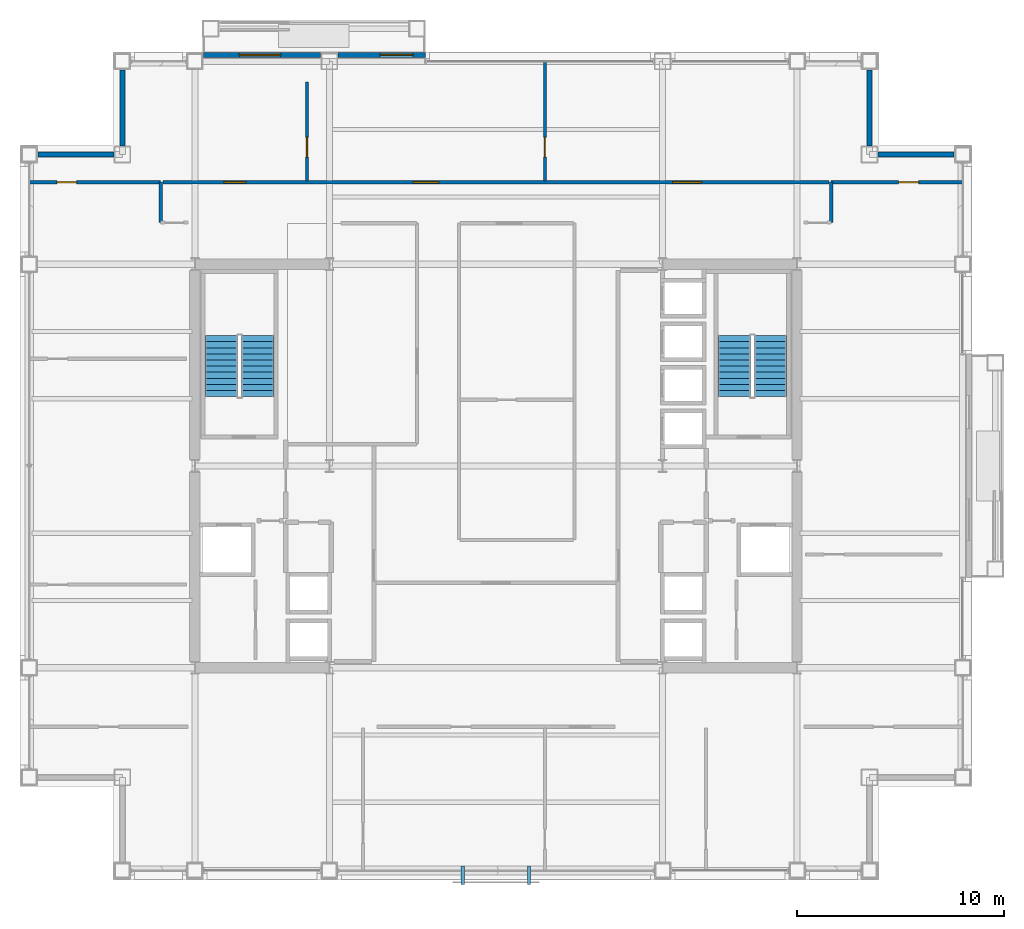
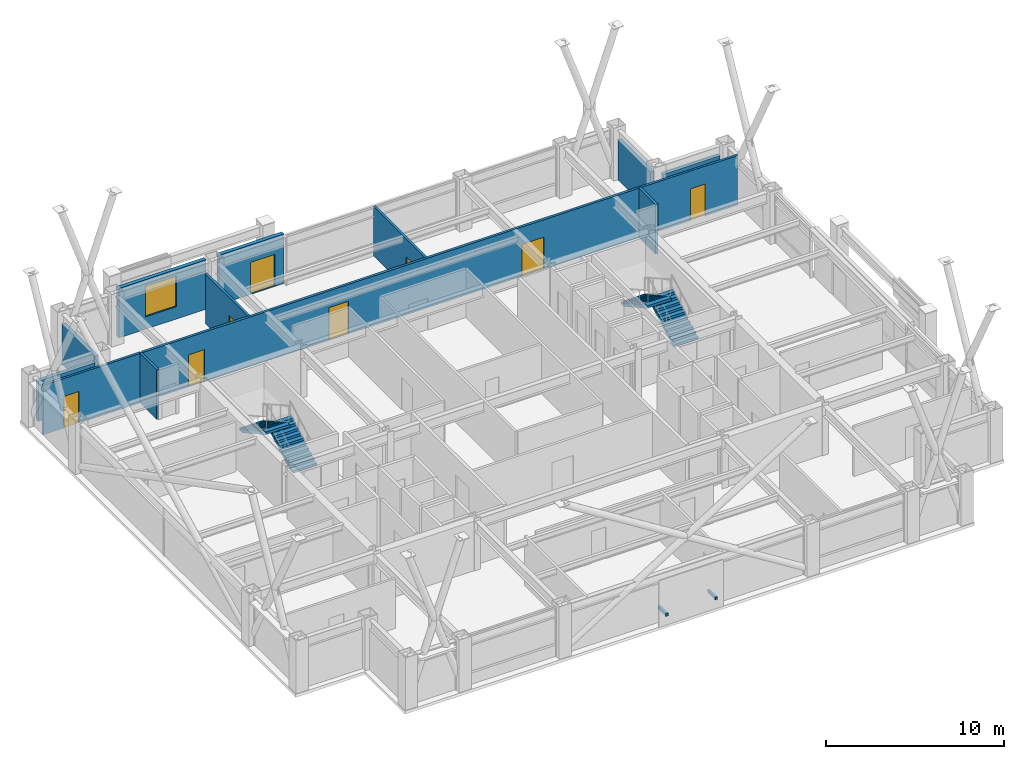
# One storey, part 30 of 33: 13 walls, 8 doors, 4 stair flights, 2 discrete accessories, 1 window, 9 openings, 2 elements without a shape of their own.
"""IFC4 building model written with IfcOpenShell, lengths in metres."""

import ifcopenshell
import ifcopenshell.guid

model = None  # the IFC model being written
_history = None  # IfcOwnerHistory: only IFC2X3 demands one
_inside = {}  # id of a spatial element -> (the spatial element, [elements in it])
_under = {}  # id of a project, library or spatial element -> (it, [spatial elements below it])
_declared = {}  # id of a project -> (the project, [libraries it declares])
_typed = {}  # id of a type object -> (the type object, [elements of that type])
_made_of = {}  # id of a material, layer set ... -> (it, [elements and type objects made of it])


def new_model(schema):
    """Start an empty IFC model of exactly this schema.

    Asked for "IFC4X3", IfcOpenShell would pick the latest addendum, in which some entities
    have other attributes; the version numbers below select the first issue.
    IFC2X3 requires an IfcOwnerHistory on every rooted entity: one is made here for all.
    """
    global model, _history
    if schema == "IFC4X3":
        model = ifcopenshell.file(schema_version=(4, 3, 0, 0))
    else:
        model = ifcopenshell.file(schema=schema)
    _inside.clear()
    _under.clear()
    _declared.clear()
    _typed.clear()
    _made_of.clear()
    _history = None
    if model.schema == "IFC2X3":
        org = make("IfcOrganization", Name="unknown")
        user = make(
            "IfcPersonAndOrganization",
            ThePerson=make("IfcPerson", FamilyName="unknown"),
            TheOrganization=org,
        )
        app = make(
            "IfcApplication",
            ApplicationDeveloper=org,
            Version="unknown",
            ApplicationFullName="unknown",
            ApplicationIdentifier="unknown",
        )
        _history = make(
            "IfcOwnerHistory",
            OwningUser=user,
            OwningApplication=app,
            ChangeAction="ADDED",
            CreationDate=0,
        )
    return model


def make(cls, **values):
    """One entity of the class cls with the attributes given. An attribute that is None is left unset."""
    return model.create_entity(
        cls, **{name: value for name, value in values.items() if value is not None}
    )


def rooted(cls, **values):
    """An entity with a GlobalId (a new one), such as an element, a storey or a relation."""
    return make(cls, GlobalId=ifcopenshell.guid.new(), OwnerHistory=_history, **values)


def si_unit(unit_type, name, prefix=None):
    """IfcSIUnit, for example si_unit("LENGTHUNIT", "METRE", prefix="MILLI")."""
    return make("IfcSIUnit", UnitType=unit_type, Prefix=prefix, Name=name)


def assignment(units):
    """IfcUnitAssignment: the units of a project."""
    return None if units is None else make("IfcUnitAssignment", Units=units)


def point(xyz):
    """IfcCartesianPoint."""
    return None if xyz is None else make("IfcCartesianPoint", Coordinates=xyz)


def direction(xyz):
    """IfcDirection."""
    return None if xyz is None else make("IfcDirection", DirectionRatios=xyz)


def frame(location, z_axis=None, x_axis=None):
    """IfcAxis2Placement3D, a coordinate frame: its origin and axes. An axis left out is left unset."""
    return make(
        "IfcAxis2Placement3D",
        Location=point(location),
        Axis=direction(z_axis),
        RefDirection=direction(x_axis),
    )


def frame_2d(location, x_axis=None):
    """IfcAxis2Placement2D, a coordinate frame in the plane: its origin and x axis."""
    return make(
        "IfcAxis2Placement2D", Location=point(location), RefDirection=direction(x_axis)
    )


def origin():
    """The frame at (0, 0, 0) with its axes left unset."""
    return frame((0.0, 0.0, 0.0))


def origin_2d():
    """The frame at (0, 0) in the plane with its x axis left unset."""
    return frame_2d((0.0, 0.0))


def place(relative_to, where):
    """IfcLocalPlacement: puts the frame where relative to a parent placement (None: the world)."""
    return make(
        "IfcLocalPlacement", PlacementRelTo=relative_to, RelativePlacement=where
    )


def context(
    kind, dimensions, precision=None, world=None, true_north=None, identifier=None
):
    """IfcGeometricRepresentationContext, for example the 3D "Model" context."""
    return make(
        "IfcGeometricRepresentationContext",
        ContextIdentifier=identifier,
        ContextType=kind,
        CoordinateSpaceDimension=dimensions,
        Precision=precision,
        WorldCoordinateSystem=world,
        TrueNorth=true_north,
    )


def subcontext(parent, identifier, kind, view, scale=None):
    """IfcGeometricRepresentationSubContext, for example "Body" below "Model"."""
    return make(
        "IfcGeometricRepresentationSubContext",
        ContextIdentifier=identifier,
        ContextType=kind,
        ParentContext=parent,
        TargetScale=scale,
        TargetView=view,
    )


def project(units=None, contexts=None):
    """IfcProject with its units and contexts."""
    return rooted(
        "IfcProject",
        Name="project",
        RepresentationContexts=contexts,
        UnitsInContext=assignment(units),
    )


def spatial(cls, under=None, at=None, **own):
    """A site, building, storey or space (cls), placed at a placement, below another one or the project."""
    s = rooted(cls, ObjectPlacement=at, **own)
    if under is not None:
        _under.setdefault(under.id(), (under, []))[1].append(s)
    return s


def polyline(points):
    """IfcPolyline through the points."""
    return make("IfcPolyline", Points=[point(p) for p in points])


def profile(cls, at=None, kind="AREA", **sizes):
    """A parametric profile (cls). Its sizes go by their IFC names, for example OverallWidth=200.0."""
    return make(cls, ProfileType=kind, Position=at, **sizes)


def rectangle(**sizes):
    """IfcRectangleProfileDef."""
    return profile("IfcRectangleProfileDef", **sizes)


def outline(outer, holes=None, kind="AREA"):
    """IfcArbitraryClosedProfileDef: a profile drawn as a closed curve; with holes, ...WithVoids."""
    if holes is None:
        return make("IfcArbitraryClosedProfileDef", ProfileType=kind, OuterCurve=outer)
    return make(
        "IfcArbitraryProfileDefWithVoids",
        ProfileType=kind,
        OuterCurve=outer,
        InnerCurves=holes,
    )


def extrude(swept, where, along, depth):
    """IfcExtrudedAreaSolid: the profile swept, set in the frame where, extruded along a direction by depth."""
    return make(
        "IfcExtrudedAreaSolid",
        SweptArea=swept,
        Position=where,
        ExtrudedDirection=direction(along),
        Depth=depth,
    )


def shape(context_of_items, identifier, shape_type, items):
    """IfcShapeRepresentation: the items that make up one representation, for example the "Body"."""
    return make(
        "IfcShapeRepresentation",
        ContextOfItems=context_of_items,
        RepresentationIdentifier=identifier,
        RepresentationType=shape_type,
        Items=items,
    )


def material(Name=None, Category=None):
    """IfcMaterial."""
    return make("IfcMaterial", Name=Name, Category=Category)


def layer(
    of_material, thickness, ventilated=None, Name=None, Category=None, Priority=None
):
    """IfcMaterialLayer: one layer of a wall or slab, of a material (None: an air gap)."""
    return make(
        "IfcMaterialLayer",
        Material=of_material,
        LayerThickness=thickness,
        IsVentilated=ventilated,
        Name=Name,
        Category=Category,
        Priority=Priority,
    )


def layer_set(layers, Name=None):
    """IfcMaterialLayerSet."""
    return make("IfcMaterialLayerSet", MaterialLayers=layers, LayerSetName=Name)


def made_of(thing, what):
    """Note that an element or type object is made of a material, layer set ...; save() writes the relation."""
    if what is not None:
        _made_of.setdefault(what.id(), (what, []))[1].append(thing)
    return thing


def type_object(cls, material=None, **own):
    """A type object (cls), such as IfcWallType, which elements share."""
    return made_of(rooted(cls, **own), material)


def element(
    cls,
    number,
    at=None,
    inside=None,
    cuts=None,
    type_object=None,
    material=None,
    context=None,
    identifier="Body",
    shape_type=None,
    held_by="IfcProductDefinitionShape",
    body=None,
    shapes=None,
    **own,
):
    """One element of the class cls, such as IfcWall. Its Tag is "e" and its number.

    at: its placement. inside: the storey or other place that contains it. cuts: it is an
    opening in that element (IfcRelVoidsElement). A single representation is given by context,
    identifier, shape_type and body (its items); several are given by shapes. held_by: the class
    of the entity that holds the representations. save() writes the other relations.
    """
    e = rooted(cls, Tag="e%d" % number, ObjectPlacement=at, **own)
    if body is not None:
        shapes = [shape(context, identifier, shape_type, body)]
    if shapes is not None:
        e.Representation = make(held_by, Representations=shapes)
    if inside is not None:
        _inside.setdefault(inside.id(), (inside, []))[1].append(e)
    if cuts is not None:
        rooted(
            "IfcRelVoidsElement", RelatingBuildingElement=cuts, RelatedOpeningElement=e
        )
    if type_object is not None:
        _typed.setdefault(type_object.id(), (type_object, []))[1].append(e)
    return made_of(e, material)


def fill(opening, filler):
    """IfcRelFillsElement: the door or window that sits in an opening."""
    return rooted(
        "IfcRelFillsElement",
        RelatingOpeningElement=opening,
        RelatedBuildingElement=filler,
    )


def aggregate(whole, parts):
    """IfcRelAggregates: a whole, such as a stair, and the parts it consists of."""
    return rooted("IfcRelAggregates", RelatingObject=whole, RelatedObjects=parts)


def save(model, path):
    """Write the relations noted so far, then the file.

    IfcRelAggregates (storeys below a building ...), IfcRelContainedInSpatialStructure (elements
    in a storey), IfcRelDefinesByType, IfcRelAssociatesMaterial and IfcRelDeclares: one each for
    every whole, place, type object, material and project.
    """
    for whole, parts in _under.values():
        aggregate(whole, parts)
    for where, things in _inside.values():
        rooted(
            "IfcRelContainedInSpatialStructure",
            RelatedElements=things,
            RelatingStructure=where,
        )
    for kind, things in _typed.values():
        rooted("IfcRelDefinesByType", RelatedObjects=things, RelatingType=kind)
    for what, things in _made_of.values():
        rooted("IfcRelAssociatesMaterial", RelatedObjects=things, RelatingMaterial=what)
    for by, libraries in _declared.values():
        rooted("IfcRelDeclares", RelatingContext=by, RelatedDefinitions=libraries)
    model.write(path)


model = new_model("IFC4")

# Units and contexts
model_context = context("Model", 3, precision=1e-05, world=origin(), true_north=direction((0.0, 1.0)))
body_context = subcontext(model_context, "Body", "Model", "MODEL_VIEW")
ifc_project = project(units=[si_unit("LENGTHUNIT", "METRE"), si_unit("AREAUNIT", "SQUARE_METRE"), si_unit("VOLUMEUNIT", "CUBIC_METRE"), si_unit("PLANEANGLEUNIT", "RADIAN"), si_unit("MASSUNIT", "GRAM", prefix="KILO")], contexts=[model_context])

# Site, building, storey
site_placement = place(None, origin())
site = spatial("IfcSite", under=ifc_project, at=site_placement, CompositionType="ELEMENT")
building_placement = place(site_placement, origin())
building = spatial("IfcBuilding", under=site, at=building_placement, Name="Brelmoor Portico Tower", CompositionType="ELEMENT")
storey_placement = place(building_placement, frame((0.0, 0.0, 120.60009765625)))
storey = spatial("IfcBuildingStorey", under=building, at=storey_placement, Name="L31", CompositionType="ELEMENT", Elevation=120.60009765625)

# Wall, opening, window
ifc_material_1 = material(Name="Precast Concrete C40 Insulated Facade Wall", Category="concrete")
ifc_layer_1 = layer(ifc_material_1, 0.25)
ifc_layer_set_1 = layer_set([ifc_layer_1], Name="Precast Concrete C40 Insulated Facade Wall")
wall_type_1 = type_object("IfcWallType", Name="WL-EXT-250", PredefinedType="STANDARD", material=ifc_layer_set_1)
wall_1_placement = place(storey_placement, frame((-14.1298828125, 19.860107421875, 0.0), z_axis=(0.0, 0.0, 1.0), x_axis=(1.0, 0.0, 0.0)))
wall_1 = element("IfcWall", 1, at=wall_1_placement, inside=storey, type_object=wall_type_1, Name="L31 Loggia Threshold Wall N-1", PredefinedType="STANDARD", context=body_context, shape_type="SweptSolid", body=[
    extrude(rectangle(XDim=5.659912109375, YDim=0.25, at=frame_2d((2.830078125, 0.0))), origin(), (0.0, 0.0, 1.0), 3.39990234375),
])
opening_1_placement = place(wall_1_placement, frame((1.72998046875, 0.0, 0.85009765625)))
opening_1 = element("IfcOpeningElement", 2, at=opening_1_placement, cuts=wall_1, Name="Opening W-03", PredefinedType="OPENING", context=body_context, shape_type="SweptSolid", body=[
    extrude(rectangle(XDim=2.0, YDim=2.10009765625, at=frame_2d((1.0, 1.050048828125))), frame((0.0, 0.135009765625, 0.0), z_axis=(0.0, -1.0, 0.0), x_axis=(1.0, 0.0, 0.0)), (0.0, 0.0, 1.0), 0.27001953125),
])
ifc_material_2 = material(Name="Thermally Broken Aluminium Low-E Window", Category="aluminium")
window_type = type_object("IfcWindowType", Name="WN-LOGGIA-2000x2100", PartitioningType="SINGLE_PANEL", PredefinedType="WINDOW", material=ifc_material_2)
window_placement = place(opening_1_placement, origin())
window = element("IfcWindow", 3, at=window_placement, inside=storey, type_object=window_type, Name="L31 Loggia Window N", OverallHeight=2.10009765625, OverallWidth=2.0, PartitioningType="SINGLE_PANEL", PredefinedType="WINDOW", context=body_context, shape_type="SweptSolid", body=[
    extrude(rectangle(XDim=2.0, YDim=2.10009765625, at=frame_2d((1.0, 1.050048828125))), frame((0.0, 0.030029296875, 0.0), z_axis=(0.0, -1.0, 0.0), x_axis=(1.0, 0.0, 0.0)), (0.0, 0.0, 1.0), 0.06005859375),
])
fill(opening_1, window)

# Wall, opening, door
wall_2_placement = place(storey_placement, frame((-7.6298828125, 19.860107421875, 0.0), z_axis=(0.0, 0.0, 1.0), x_axis=(1.0, 0.0, 0.0)))
wall_2 = element("IfcWall", 4, at=wall_2_placement, inside=storey, type_object=wall_type_1, Name="L31 Loggia Threshold Wall N-2", PredefinedType="STANDARD", context=body_context, shape_type="SweptSolid", body=[
    extrude(rectangle(XDim=4.22998046875, YDim=0.25, at=frame_2d((2.114990234375, 0.0))), origin(), (0.0, 0.0, 1.0), 3.39990234375),
])
opening_2_placement = place(wall_2_placement, frame((2.030029296875, 0.0, 0.0)))
opening_2 = element("IfcOpeningElement", 5, at=opening_2_placement, cuts=wall_2, Name="Opening D-TB1", PredefinedType="OPENING", context=body_context, shape_type="SweptSolid", body=[
    extrude(rectangle(XDim=1.60009765625, YDim=2.199951171875, at=frame_2d((0.800048828125, 1.10009765625))), frame((0.0, 0.135009765625, 0.0), z_axis=(0.0, -1.0, 0.0), x_axis=(1.0, 0.0, 0.0)), (0.0, 0.0, 1.0), 0.27001953125),
])
ifc_material_3 = material(Name="Double-Leaf Thermally Broken Terrace Door", Category="aluminium")
door_type_1 = type_object("IfcDoorType", Name="DR-BALCONY-1600", OperationType="NOTDEFINED", PredefinedType="DOOR", material=ifc_material_3)
door_1_placement = place(opening_2_placement, origin())
door_1 = element("IfcDoor", 6, at=door_1_placement, inside=storey, type_object=door_type_1, Name="D-1384 L31 Tree Balcony Double Door N", OperationType="DOUBLE_DOOR_SINGLE_SWING", OverallHeight=2.199951171875, OverallWidth=1.60009765625, PredefinedType="DOOR", context=body_context, shape_type="SweptSolid", body=[
    extrude(rectangle(XDim=1.60009765625, YDim=2.199951171875, at=frame_2d((0.800048828125, 1.10009765625))), frame((0.0, 0.02490234375, 0.0), z_axis=(0.0, -1.0, 0.0), x_axis=(1.0, 0.0, 0.0)), (0.0, 0.0, 1.0), 0.050048828125),
])
fill(opening_2, door_1)

# Walls
for number, where, z_axis, x_axis, name in (
    (7, (-22.139892578125, 15.050048828125, 0.0), (0.0, 0.0, 1.0), (1.0, 0.0, 0.0), "L31 Corner Notch Facade Wall NNWH1"),
    (8, (-18.050048828125, 15.4599609375, 0.0), (0.0, 0.0, 1.0), (0.0, 1.0, 0.0), "L31 Corner Notch Facade Wall NNWV1"),
    (9, (18.4599609375, 15.050048828125, 0.0), (0.0, 0.0, 1.0), (1.0, 0.0, 0.0), "L31 Corner Notch Facade Wall NNEH1"),
    (10, (18.050048828125, 15.4599609375, 0.0), (0.0, 0.0, 1.0), (0.0, 1.0, 0.0), "L31 Corner Notch Facade Wall NNEV1"),
):
    element("IfcWall", number, at=place(storey_placement, frame(where, z_axis=z_axis, x_axis=x_axis)), inside=storey, type_object=wall_type_1, Name=name, PredefinedType="STANDARD", context=body_context, shape_type="SweptSolid", body=[
        extrude(rectangle(XDim=3.679931640625, YDim=0.25, at=frame_2d((1.83984375, 0.0))), origin(), (0.0, 0.0, 1.0), 2.75),
    ])

# Wall, opening, door
ifc_material_4 = material(Name="Wet-Area Moisture-Resistant Partition", Category="gypsum")
ifc_layer_2 = layer(ifc_material_4, 0.14990234375)
ifc_layer_set_2 = layer_set([ifc_layer_2], Name="Wet-Area Moisture-Resistant Partition")
wall_type_2 = type_object("IfcWallType", Name="WL-PART-150", PredefinedType="PARTITIONING", material=ifc_layer_set_2)
wall_3_placement = place(storey_placement, frame((-9.13134765625, 13.77001953125, 0.0), z_axis=(0.0, 0.0, 1.0), x_axis=(0.0, 1.0, 0.0)))
wall_3 = element("IfcWall", 11, at=wall_3_placement, inside=storey, type_object=wall_type_2, Name="L31 North Suite Partition 1", PredefinedType="PARTITIONING", context=body_context, shape_type="SweptSolid", body=[
    extrude(rectangle(XDim=4.780029296875, YDim=0.14990234375, at=frame_2d((2.39013671875, 0.0))), origin(), (0.0, 0.0, 1.0), 3.39990234375),
])
opening_3_placement = place(wall_3_placement, frame((1.14990234375, 0.0, 0.0)))
opening_3 = element("IfcOpeningElement", 12, at=opening_3_placement, cuts=wall_3, Name="Opening D-IN2", PredefinedType="OPENING", context=body_context, shape_type="SweptSolid", body=[
    extrude(rectangle(XDim=0.9599609375, YDim=2.179931640625, at=frame_2d((0.47998046875, 1.08984375))), frame((0.0, 0.0849609375, 0.0), z_axis=(0.0, -1.0, 0.0), x_axis=(1.0, 0.0, 0.0)), (0.0, 0.0, 1.0), 0.169921875),
])
ifc_material_5 = material(Name="Lacquered Timber Suite Door", Category="wood")
door_type_2 = type_object("IfcDoorType", Name="DR-INT-950", OperationType="NOTDEFINED", PredefinedType="DOOR", material=ifc_material_5)
door_2_placement = place(opening_3_placement, origin())
door_2 = element("IfcDoor", 13, at=door_2_placement, inside=storey, type_object=door_type_2, Name="D-1369 L31 North Suite Connecting Door 1", OperationType="SINGLE_SWING_RIGHT", OverallHeight=2.179931640625, OverallWidth=0.9599609375, PredefinedType="DOOR", context=body_context, shape_type="SweptSolid", body=[
    extrude(rectangle(XDim=0.9599609375, YDim=2.179931640625, at=frame_2d((0.47998046875, 1.08984375))), frame((0.0, 0.02490234375, 0.0), z_axis=(0.0, -1.0, 0.0), x_axis=(1.0, 0.0, 0.0)), (0.0, 0.0, 1.0), 0.050048828125),
])
fill(opening_3, door_2)

wall_4_placement = place(storey_placement, frame((2.367431640625, 13.77001953125, 0.0), z_axis=(0.0, 0.0, 1.0), x_axis=(0.0, 1.0, 0.0)))
wall_4 = element("IfcWall", 14, at=wall_4_placement, inside=storey, type_object=wall_type_2, Name="L31 North Suite Partition 2", PredefinedType="PARTITIONING", context=body_context, shape_type="SweptSolid", body=[
    extrude(rectangle(XDim=5.7900390625, YDim=0.14990234375, at=frame_2d((2.89501953125, 0.0))), origin(), (0.0, 0.0, 1.0), 3.39990234375),
])
opening_4_placement = place(wall_4_placement, frame((1.14990234375, 0.0, 0.0)))
opening_4 = element("IfcOpeningElement", 15, at=opening_4_placement, cuts=wall_4, Name="Opening D-IN2", PredefinedType="OPENING", context=body_context, shape_type="SweptSolid", body=[
    extrude(rectangle(XDim=0.9599609375, YDim=2.179931640625, at=frame_2d((0.47998046875, 1.08984375))), frame((0.0, 0.0849609375, 0.0), z_axis=(0.0, -1.0, 0.0), x_axis=(1.0, 0.0, 0.0)), (0.0, 0.0, 1.0), 0.169921875),
])
door_3_placement = place(opening_4_placement, origin())
door_3 = element("IfcDoor", 16, at=door_3_placement, inside=storey, type_object=door_type_2, Name="D-1370 L31 North Suite Connecting Door 2", OperationType="SINGLE_SWING_LEFT", OverallHeight=2.179931640625, OverallWidth=0.9599609375, PredefinedType="DOOR", context=body_context, shape_type="SweptSolid", body=[
    extrude(rectangle(XDim=0.9599609375, YDim=2.179931640625, at=frame_2d((0.47998046875, 1.08984375))), frame((0.0, 0.02490234375, 0.0), z_axis=(0.0, -1.0, 0.0), x_axis=(1.0, 0.0, 0.0)), (0.0, 0.0, 1.0), 0.050048828125),
])
fill(opening_4, door_3)

wall_5_placement = place(storey_placement, frame((-22.56005859375, 13.7099609375, 0.0), z_axis=(0.0, 0.0, 1.0), x_axis=(1.0, 0.0, 0.0)))
wall_5 = element("IfcWall", 17, at=wall_5_placement, inside=storey, type_object=wall_type_2, Name="L31 North Wing Closure WL", PredefinedType="PARTITIONING", context=body_context, shape_type="SweptSolid", body=[
    extrude(rectangle(XDim=6.360107421875, YDim=0.14990234375, at=frame_2d((3.18017578125, 0.0))), origin(), (0.0, 0.0, 1.0), 3.39990234375),
])
opening_5_placement = place(wall_5_placement, frame((1.340087890625, 0.0, 0.0)))
opening_5 = element("IfcOpeningElement", 18, at=opening_5_placement, cuts=wall_5, Name="Opening D-IN2", PredefinedType="OPENING", context=body_context, shape_type="SweptSolid", body=[
    extrude(rectangle(XDim=0.9599609375, YDim=2.179931640625, at=frame_2d((0.47998046875, 1.08984375))), frame((0.0, 0.0849609375, 0.0), z_axis=(0.0, -1.0, 0.0), x_axis=(1.0, 0.0, 0.0)), (0.0, 0.0, 1.0), 0.169921875),
])
door_4_placement = place(opening_5_placement, origin())
door_4 = element("IfcDoor", 19, at=door_4_placement, inside=storey, type_object=door_type_2, Name="D-1372 L31 WL Wing North Suite Door", OperationType="SINGLE_SWING_RIGHT", OverallHeight=2.179931640625, OverallWidth=0.9599609375, PredefinedType="DOOR", context=body_context, shape_type="SweptSolid", body=[
    extrude(rectangle(XDim=0.9599609375, YDim=2.179931640625, at=frame_2d((0.47998046875, 1.08984375))), frame((0.0, 0.02490234375, 0.0), z_axis=(0.0, -1.0, 0.0), x_axis=(1.0, 0.0, 0.0)), (0.0, 0.0, 1.0), 0.050048828125),
])
fill(opening_5, door_4)

wall_6_placement = place(storey_placement, frame((16.199951171875, 13.7099609375, 0.0), z_axis=(0.0, 0.0, 1.0), x_axis=(1.0, 0.0, 0.0)))
wall_6 = element("IfcWall", 20, at=wall_6_placement, inside=storey, type_object=wall_type_2, Name="L31 North Wing Closure ER", PredefinedType="PARTITIONING", context=body_context, shape_type="SweptSolid", body=[
    extrude(rectangle(XDim=6.360107421875, YDim=0.14990234375, at=frame_2d((3.18017578125, 0.0))), origin(), (0.0, 0.0, 1.0), 3.39990234375),
])
opening_6_placement = place(wall_6_placement, frame((3.260009765625, 0.0, 0.0)))
opening_6 = element("IfcOpeningElement", 21, at=opening_6_placement, cuts=wall_6, Name="Opening D-IN2", PredefinedType="OPENING", context=body_context, shape_type="SweptSolid", body=[
    extrude(rectangle(XDim=0.9599609375, YDim=2.179931640625, at=frame_2d((0.47998046875, 1.08984375))), frame((0.0, 0.0849609375, 0.0), z_axis=(0.0, -1.0, 0.0), x_axis=(1.0, 0.0, 0.0)), (0.0, 0.0, 1.0), 0.169921875),
])
door_5_placement = place(opening_6_placement, origin())
door_5 = element("IfcDoor", 22, at=door_5_placement, inside=storey, type_object=door_type_2, Name="D-1371 L31 ER Wing North Suite Door", OperationType="SINGLE_SWING_LEFT", OverallHeight=2.179931640625, OverallWidth=0.9599609375, PredefinedType="DOOR", context=body_context, shape_type="SweptSolid", body=[
    extrude(rectangle(XDim=0.9599609375, YDim=2.179931640625, at=frame_2d((0.47998046875, 1.08984375))), frame((0.0, 0.02490234375, 0.0), z_axis=(0.0, -1.0, 0.0), x_axis=(1.0, 0.0, 0.0)), (0.0, 0.0, 1.0), 0.050048828125),
])
fill(opening_6, door_5)

# Wall, openings, doors
ifc_material_6 = material(Name="Twin-Frame Acoustic Partition", Category="gypsum")
ifc_layer_3 = layer(ifc_material_6, 0.159912109375)
ifc_layer_set_3 = layer_set([ifc_layer_3], Name="Twin-Frame Acoustic Partition")
wall_type_3 = type_object("IfcWallType", Name="WL-PART-160", PredefinedType="PARTITIONING", material=ifc_layer_set_3)
wall_7_placement = place(storey_placement, frame((-16.10009765625, 13.7099609375, 0.0), z_axis=(0.0, 0.0, 1.0), x_axis=(1.0, 0.0, 0.0)))
wall_7 = element("IfcWall", 23, at=wall_7_placement, inside=storey, type_object=wall_type_3, Name="L31 North Corridor Partition", PredefinedType="PARTITIONING", context=body_context, shape_type="SweptSolid", body=[
    extrude(rectangle(XDim=32.2001953125, YDim=0.159912109375, at=frame_2d((16.10009765625, 0.0))), origin(), (0.0, 0.0, 1.0), 3.39990234375),
])
opening_7_placement = place(wall_7_placement, frame((2.954345703125, 0.0, 0.0)))
opening_7 = element("IfcOpeningElement", 24, at=opening_7_placement, cuts=wall_7, Name="Opening D-OF2", PredefinedType="OPENING", context=body_context, shape_type="SweptSolid", body=[
    extrude(rectangle(XDim=1.06005859375, YDim=2.199951171875, at=frame_2d((0.530029296875, 1.10009765625))), frame((0.0, 0.08984375, 0.0), z_axis=(0.0, -1.0, 0.0), x_axis=(1.0, 0.0, 0.0)), (0.0, 0.0, 1.0), 0.179931640625),
])
opening_8_placement = place(wall_7_placement, frame((12.097900390625, 0.0, 0.0)))
opening_8 = element("IfcOpeningElement", 25, at=opening_8_placement, cuts=wall_7, Name="Opening D-SU1", PredefinedType="OPENING", context=body_context, shape_type="SweptSolid", body=[
    extrude(rectangle(XDim=1.239990234375, YDim=2.239990234375, at=frame_2d((0.6201171875, 1.1201171875))), frame((0.0, 0.08984375, 0.0), z_axis=(0.0, -1.0, 0.0), x_axis=(1.0, 0.0, 0.0)), (0.0, 0.0, 1.0), 0.179931640625),
])
opening_9_placement = place(wall_7_placement, frame((24.6337890625, 0.0, 0.0)))
opening_9 = element("IfcOpeningElement", 26, at=opening_9_placement, cuts=wall_7, Name="Opening D-SU2", PredefinedType="OPENING", context=body_context, shape_type="SweptSolid", body=[
    extrude(rectangle(XDim=1.39990234375, YDim=2.199951171875, at=frame_2d((0.699951171875, 1.10009765625))), frame((0.0, 0.08984375, 0.0), z_axis=(0.0, -1.0, 0.0), x_axis=(1.0, 0.0, 0.0)), (0.0, 0.0, 1.0), 0.179931640625),
])
ifc_material_7 = material(Name="Hardwood Acoustic Veneer Door", Category="wood")
door_type_3 = type_object("IfcDoorType", Name="DR-OFFICE-1050", OperationType="NOTDEFINED", PredefinedType="DOOR", material=ifc_material_7)
door_6_placement = place(opening_7_placement, origin())
door_6 = element("IfcDoor", 27, at=door_6_placement, inside=storey, type_object=door_type_3, Name="D-1366 L31 North Open-Plan Office 1 Door", OperationType="SINGLE_SWING_RIGHT", OverallHeight=2.199951171875, OverallWidth=1.06005859375, PredefinedType="DOOR", context=body_context, shape_type="SweptSolid", body=[
    extrude(rectangle(XDim=1.06005859375, YDim=2.199951171875, at=frame_2d((0.530029296875, 1.10009765625))), frame((0.0, 0.02490234375, 0.0), z_axis=(0.0, -1.0, 0.0), x_axis=(1.0, 0.0, 0.0)), (0.0, 0.0, 1.0), 0.050048828125),
])
fill(opening_7, door_6)
ifc_material_8 = material(Name="Glazed Timber Executive Suite Door", Category="wood")
door_type_4 = type_object("IfcDoorType", Name="DR-SUITE-1200", OperationType="NOTDEFINED", PredefinedType="DOOR", material=ifc_material_8)
door_7_placement = place(opening_8_placement, origin())
door_7 = element("IfcDoor", 28, at=door_7_placement, inside=storey, type_object=door_type_4, Name="D-1367 L31 North Cellular Office 2 Door", OperationType="SINGLE_SWING_LEFT", OverallHeight=2.239990234375, OverallWidth=1.239990234375, PredefinedType="DOOR", context=body_context, shape_type="SweptSolid", body=[
    extrude(rectangle(XDim=1.239990234375, YDim=2.239990234375, at=frame_2d((0.6201171875, 1.1201171875))), frame((0.0, 0.02490234375, 0.0), z_axis=(0.0, -1.0, 0.0), x_axis=(1.0, 0.0, 0.0)), (0.0, 0.0, 1.0), 0.050048828125),
])
fill(opening_8, door_7)
ifc_material_9 = material(Name="Double-Leaf Acoustic Suite Door", Category="timber")
door_type_5 = type_object("IfcDoorType", Name="DR-SUITE-1400", OperationType="NOTDEFINED", PredefinedType="DOOR", material=ifc_material_9)
door_8_placement = place(opening_9_placement, origin())
door_8 = element("IfcDoor", 29, at=door_8_placement, inside=storey, type_object=door_type_5, Name="D-1368 L31 North Technical Archive Store 3 Door", OperationType="DOUBLE_DOOR_SINGLE_SWING", OverallHeight=2.199951171875, OverallWidth=1.39990234375, PredefinedType="DOOR", context=body_context, shape_type="SweptSolid", body=[
    extrude(rectangle(XDim=1.39990234375, YDim=2.199951171875, at=frame_2d((0.699951171875, 1.10009765625))), frame((0.0, 0.02490234375, 0.0), z_axis=(0.0, -1.0, 0.0), x_axis=(1.0, 0.0, 0.0)), (0.0, 0.0, 1.0), 0.050048828125),
])
fill(opening_9, door_8)

# Walls
for number, where, z_axis, x_axis, name in (
    (30, (-16.199951171875, 11.760009765625, 0.0), (0.0, 0.0, 1.0), (0.0, 1.0, 0.0), "L31 W Corridor End Closure"),
    (31, (16.199951171875, 11.760009765625, 0.0), (0.0, 0.0, 1.0), (0.0, 1.0, 0.0), "L31 E Corridor End Closure"),
):
    element("IfcWall", number, at=place(storey_placement, frame(where, z_axis=z_axis, x_axis=x_axis)), inside=storey, type_object=wall_type_3, Name=name, PredefinedType="PARTITIONING", context=body_context, shape_type="SweptSolid", body=[
        extrude(rectangle(XDim=1.949951171875, YDim=0.159912109375, at=frame_2d((0.97509765625, 0.0))), origin(), (0.0, 0.0, 1.0), 3.39990234375),
    ])

# Stair, stair flights
ifc_material_10 = material(Name="Concrete C40", Category="concrete")
stair_type_1 = type_object("IfcStairType", Name="ST-CORE-W", PredefinedType="HALF_TURN_STAIR", material=ifc_material_10)
stair_1_placement = place(storey_placement, origin())
stair_1 = element("IfcStair", 32, at=stair_1_placement, inside=storey, type_object=stair_type_1, Name="L31 Protected Core Exit Stair ST-W", PredefinedType="HALF_TURN_STAIR")
stair_flight_type = type_object("IfcStairFlightType", Name="SF-CORE-1850", PredefinedType="STRAIGHT", material=ifc_material_10)
stair_flight_1_placement = place(storey_placement, frame((-11.510009765625, 3.35009765625, 0.0), z_axis=(0.0, 0.0, 1.0), x_axis=(0.0, 1.0, 0.0)))
stair_flight_1 = element("IfcStairFlight", 33, at=stair_flight_1_placement, type_object=stair_flight_type, Name="ST-W flight 1", NumberOfRisers=11, NumberOfTreads=10, PredefinedType="STRAIGHT", RiserHeight=0.163636364, TreadLength=0.295, context=body_context, shape_type="SweptSolid", body=[
    extrude(outline(polyline([(0.0, 0.0), (0.0, 0.16357421875), (0.294921875, 0.16357421875), (0.294921875, 0.327392578125), (0.590087890625, 0.327392578125), (0.590087890625, 0.490966796875), (0.885009765625, 0.490966796875), (0.885009765625, 0.654541015625), (1.179931640625, 0.654541015625), (1.179931640625, 0.818115234375), (1.47509765625, 0.818115234375), (1.47509765625, 0.98193359375), (1.77001953125, 0.98193359375), (1.77001953125, 1.1455078125), (2.06494140625, 1.1455078125), (2.06494140625, 1.30908203125), (2.360107421875, 1.30908203125), (2.360107421875, 1.47265625), (2.655029296875, 1.47265625), (2.655029296875, 1.636474609375), (2.949951171875, 1.636474609375), (2.949951171875, 1.800048828125), (2.949951171875, 1.46484375), (0.30908203125, 0.0), (0.0, 0.0)])), frame((0.0, 0.780029296875, 0.0), z_axis=(0.0, -1.0, 0.0), x_axis=(1.0, 0.0, 0.0)), (0.0, 0.0, 1.0), 1.56005859375),
])
stair_flight_2_placement = place(storey_placement, frame((-13.27001953125, 6.300048828125, 1.7998046875), z_axis=(0.0, 0.0, 1.0), x_axis=(0.0, -1.0, 0.0)))
stair_flight_2 = element("IfcStairFlight", 34, at=stair_flight_2_placement, type_object=stair_flight_type, Name="ST-W flight 2", NumberOfRisers=11, NumberOfTreads=10, PredefinedType="STRAIGHT", RiserHeight=0.163636364, TreadLength=0.295, context=body_context, shape_type="SweptSolid", body=[
    extrude(outline(polyline([(0.0, 0.0), (0.0, 0.16357421875), (0.294921875, 0.16357421875), (0.294921875, 0.327392578125), (0.590087890625, 0.327392578125), (0.590087890625, 0.490966796875), (0.885009765625, 0.490966796875), (0.885009765625, 0.654541015625), (1.179931640625, 0.654541015625), (1.179931640625, 0.818115234375), (1.47509765625, 0.818115234375), (1.47509765625, 0.98193359375), (1.77001953125, 0.98193359375), (1.77001953125, 1.1455078125), (2.06494140625, 1.1455078125), (2.06494140625, 1.30908203125), (2.360107421875, 1.30908203125), (2.360107421875, 1.47265625), (2.655029296875, 1.47265625), (2.655029296875, 1.636474609375), (2.949951171875, 1.636474609375), (2.949951171875, 1.800048828125), (2.949951171875, 1.46484375), (0.30908203125, 0.0), (0.0, 0.0)])), frame((0.0, 0.780029296875, 0.0), z_axis=(0.0, -1.0, 0.0), x_axis=(1.0, 0.0, 0.0)), (0.0, 0.0, 1.0), 1.56005859375),
])
aggregate(stair_1, [stair_flight_1, stair_flight_2])

stair_type_2 = type_object("IfcStairType", Name="ST-CORE-E", PredefinedType="HALF_TURN_STAIR", material=ifc_material_10)
stair_2_placement = place(storey_placement, origin())
stair_2 = element("IfcStair", 35, at=stair_2_placement, inside=storey, type_object=stair_type_2, Name="L31 Protected Core Exit Stair ST-E", PredefinedType="HALF_TURN_STAIR")
stair_flight_3_placement = place(storey_placement, frame((13.27001953125, 3.35009765625, 0.0), z_axis=(0.0, 0.0, 1.0), x_axis=(0.0, 1.0, 0.0)))
stair_flight_3 = element("IfcStairFlight", 36, at=stair_flight_3_placement, type_object=stair_flight_type, Name="ST-E flight 1", NumberOfRisers=11, NumberOfTreads=10, PredefinedType="STRAIGHT", RiserHeight=0.163636364, TreadLength=0.295, context=body_context, shape_type="SweptSolid", body=[
    extrude(outline(polyline([(0.0, 0.0), (0.0, 0.16357421875), (0.294921875, 0.16357421875), (0.294921875, 0.327392578125), (0.590087890625, 0.327392578125), (0.590087890625, 0.490966796875), (0.885009765625, 0.490966796875), (0.885009765625, 0.654541015625), (1.179931640625, 0.654541015625), (1.179931640625, 0.818115234375), (1.47509765625, 0.818115234375), (1.47509765625, 0.98193359375), (1.77001953125, 0.98193359375), (1.77001953125, 1.1455078125), (2.06494140625, 1.1455078125), (2.06494140625, 1.30908203125), (2.360107421875, 1.30908203125), (2.360107421875, 1.47265625), (2.655029296875, 1.47265625), (2.655029296875, 1.636474609375), (2.949951171875, 1.636474609375), (2.949951171875, 1.800048828125), (2.949951171875, 1.46484375), (0.30908203125, 0.0), (0.0, 0.0)])), frame((0.0, 0.780029296875, 0.0), z_axis=(0.0, -1.0, 0.0), x_axis=(1.0, 0.0, 0.0)), (0.0, 0.0, 1.0), 1.56005859375),
])
stair_flight_4_placement = place(storey_placement, frame((11.510009765625, 6.300048828125, 1.7998046875), z_axis=(0.0, 0.0, 1.0), x_axis=(0.0, -1.0, 0.0)))
stair_flight_4 = element("IfcStairFlight", 37, at=stair_flight_4_placement, type_object=stair_flight_type, Name="ST-E flight 2", NumberOfRisers=11, NumberOfTreads=10, PredefinedType="STRAIGHT", RiserHeight=0.163636364, TreadLength=0.295, context=body_context, shape_type="SweptSolid", body=[
    extrude(outline(polyline([(0.0, 0.0), (0.0, 0.16357421875), (0.294921875, 0.16357421875), (0.294921875, 0.327392578125), (0.590087890625, 0.327392578125), (0.590087890625, 0.490966796875), (0.885009765625, 0.490966796875), (0.885009765625, 0.654541015625), (1.179931640625, 0.654541015625), (1.179931640625, 0.818115234375), (1.47509765625, 0.818115234375), (1.47509765625, 0.98193359375), (1.77001953125, 0.98193359375), (1.77001953125, 1.1455078125), (2.06494140625, 1.1455078125), (2.06494140625, 1.30908203125), (2.360107421875, 1.30908203125), (2.360107421875, 1.47265625), (2.655029296875, 1.47265625), (2.655029296875, 1.636474609375), (2.949951171875, 1.636474609375), (2.949951171875, 1.800048828125), (2.949951171875, 1.46484375), (0.30908203125, 0.0), (0.0, 0.0)])), frame((0.0, 0.780029296875, 0.0), z_axis=(0.0, -1.0, 0.0), x_axis=(1.0, 0.0, 0.0)), (0.0, 0.0, 1.0), 1.56005859375),
])
aggregate(stair_2, [stair_flight_3, stair_flight_4])

# Discrete accessories
ifc_material_11 = material(Name="Galvanised Steel Q355B", Category="steel")
discrete_accessory_type = type_object("IfcDiscreteAccessoryType", Name="DA-SCREEN-BRACKET", PredefinedType="BRACKET", material=ifc_material_11)
for number, where, z_axis, x_axis, name in (
    (38, (-1.60009765625, -19.780029296875, 0.759765625), (0.0, 0.0, 1.0), (1.0, 0.0, 0.0), "L31 Solar Screen Bracket S1A"),
    (39, (1.60009765625, -19.780029296875, 0.759765625), (0.0, 0.0, 1.0), (1.0, 0.0, 0.0), "L31 Solar Screen Bracket S1B"),
):
    element("IfcDiscreteAccessory", number, at=place(storey_placement, frame(where, z_axis=z_axis, x_axis=x_axis)), inside=storey, type_object=discrete_accessory_type, Name=name, PredefinedType="BRACKET", context=body_context, shape_type="SweptSolid", body=[
        extrude(rectangle(XDim=0.159912109375, YDim=0.89990234375, at=origin_2d()), origin(), (0.0, 0.0, 1.0), 0.179931640625),
    ])

save(model, "model.ifc")
